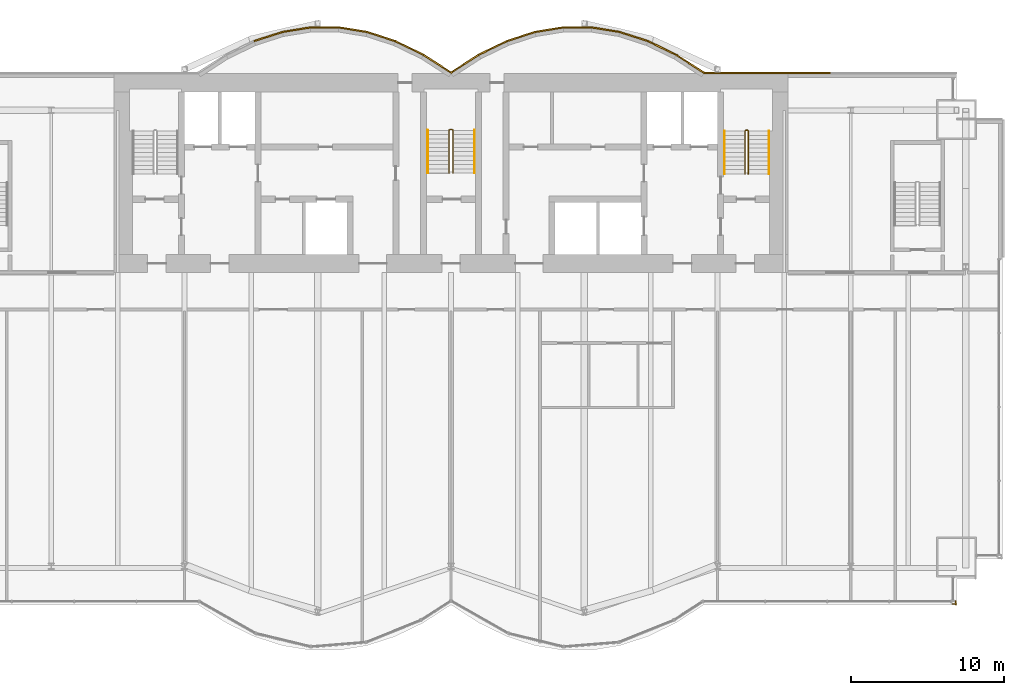
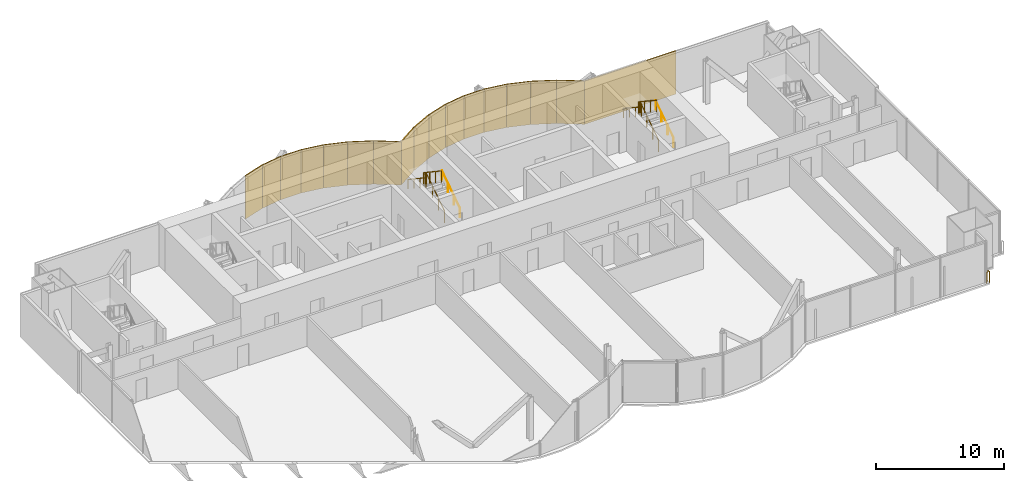
# One storey, part 20 of 21: 17 coverings, 7 railings.
"""IFC4 building model written with IfcOpenShell, lengths in metres."""

from ifc_helpers import new_model, si_unit, direction, frame, origin, origin_2d, place, context, subcontext, project, spatial, rectangle, circle, extrude, material, layer, layer_set, type_object, element, save


model = new_model("IFC4")

# Units and contexts
model_context = context("Model", 3, precision=1e-05, world=origin(), true_north=direction((0.0, 1.0)))
body_context = subcontext(model_context, "Body", "Model", "MODEL_VIEW")
ifc_project = project(units=[si_unit("LENGTHUNIT", "METRE"), si_unit("AREAUNIT", "SQUARE_METRE"), si_unit("VOLUMEUNIT", "CUBIC_METRE"), si_unit("PLANEANGLEUNIT", "RADIAN"), si_unit("MASSUNIT", "GRAM", prefix="KILO")], contexts=[model_context])

# Site, building, storey
site_placement = place(None, origin())
site = spatial("IfcSite", under=ifc_project, at=site_placement, CompositionType="ELEMENT")
building_placement = place(site_placement, origin())
building = spatial("IfcBuilding", under=site, at=building_placement, Name="Bicima Exchange Tower", CompositionType="ELEMENT")
storey_placement = place(building_placement, frame((0.0, 0.0, 165.0)))
storey = spatial("IfcBuildingStorey", under=building, at=storey_placement, Name="L36", CompositionType="ELEMENT", Elevation=165.0)

# Coverings
ifc_material_1 = material(Name="Bronze metal cladding")
ifc_layer_1 = layer(ifc_material_1, 0.004)
ifc_material_2 = material(Name="Ventilated cavity")
ifc_layer_2 = layer(ifc_material_2, 0.06)
ifc_material_3 = material(Name="Galvanised steel rail and mineral wool", Category="steel")
ifc_layer_3 = layer(ifc_material_3, 0.036)
ifc_layer_set = layer_set([ifc_layer_1, ifc_layer_2, ifc_layer_3], Name="Ventilated cavity")
covering_type = type_object("IfcCoveringType", Name="Bronze metal cladding panel 100", PredefinedType="CLADDING", material=ifc_layer_set)
covering_1_placement = place(storey_placement, frame((20.625, 0.050048828125, -0.150146484375), z_axis=(0.0, 0.0, 1.0), x_axis=(-1.0, 0.0, 0.0)))
element("IfcCovering", 1, at=covering_1_placement, inside=storey, type_object=covering_type, Name="Bronze cladding L36 1.2", PredefinedType="CLADDING", context=body_context, shape_type="SweptSolid", body=[
    extrude(rectangle(XDim=8.25, YDim=0.10009765625, at=origin_2d()), origin(), (0.0, 0.0, 1.0), 4.10009765625),
])
covering_2_placement = place(storey_placement, frame((15.610595703125, 0.634521484375, -0.150146484375), z_axis=(0.0, 0.0, 1.0), x_axis=(-0.839790466384, 0.542910648791, 0.0)))
element("IfcCovering", 2, at=covering_2_placement, inside=storey, type_object=covering_type, Name="Bronze cladding L36 2.1", PredefinedType="CLADDING", context=body_context, shape_type="SweptSolid", body=[
    extrude(rectangle(XDim=2.18310546875, YDim=0.10009765625, at=origin_2d()), origin(), (0.0, 0.0, 1.0), 4.10009765625),
])
covering_3_placement = place(storey_placement, frame((13.771728515625, 1.674560546875, -0.150146484375), z_axis=(0.0, 0.0, 1.0), x_axis=(-0.899818346812, 0.436264762204, 0.0)))
element("IfcCovering", 3, at=covering_3_placement, inside=storey, type_object=covering_type, Name="Bronze cladding L36 3.1", PredefinedType="CLADDING", context=body_context, shape_type="SweptSolid", body=[
    extrude(rectangle(XDim=2.03759765625, YDim=0.10009765625, at=origin_2d()), origin(), (0.0, 0.0, 1.0), 4.10009765625),
])
covering_4_placement = place(storey_placement, frame((11.931884765625, 2.41796875, -0.150146484375), z_axis=(0.0, 0.0, 1.0), x_axis=(-0.951524642381, 0.307572519808, 0.0)))
element("IfcCovering", 4, at=covering_4_placement, inside=storey, type_object=covering_type, Name="Bronze cladding L36 4.1", PredefinedType="CLADDING", context=body_context, shape_type="SweptSolid", body=[
    extrude(rectangle(XDim=1.9267578125, YDim=0.10009765625, at=origin_2d()), origin(), (0.0, 0.0, 1.0), 4.10009765625),
])
covering_5_placement = place(storey_placement, frame((10.09130859375, 2.8642578125, -0.150146484375), z_axis=(0.0, 0.0, 1.0), x_axis=(-0.987189786347, 0.159550386184, 0.0)))
element("IfcCovering", 5, at=covering_5_placement, inside=storey, type_object=covering_type, Name="Bronze cladding L36 5.1", PredefinedType="CLADDING", context=body_context, shape_type="SweptSolid", body=[
    extrude(rectangle(XDim=1.857177734375, YDim=0.10009765625, at=origin_2d()), origin(), (0.0, 0.0, 1.0), 4.10009765625),
])
covering_6_placement = place(storey_placement, frame((8.25, 3.012939453125, -0.150146484375), z_axis=(0.0, 0.0, 1.0), x_axis=(-1.0, 0.0, 0.0)))
element("IfcCovering", 6, at=covering_6_placement, inside=storey, type_object=covering_type, Name="Bronze cladding L36 6.1", PredefinedType="CLADDING", context=body_context, shape_type="SweptSolid", body=[
    extrude(rectangle(XDim=1.83349609375, YDim=0.10009765625, at=origin_2d()), origin(), (0.0, 0.0, 1.0), 4.10009765625),
])
covering_7_placement = place(storey_placement, frame((6.40869140625, 2.8642578125, -0.150146484375), z_axis=(0.0, 0.0, 1.0), x_axis=(-0.987189786347, -0.159550386184, 0.0)))
element("IfcCovering", 7, at=covering_7_placement, inside=storey, type_object=covering_type, Name="Bronze cladding L36 7.1", PredefinedType="CLADDING", context=body_context, shape_type="SweptSolid", body=[
    extrude(rectangle(XDim=1.857177734375, YDim=0.10009765625, at=origin_2d()), origin(), (0.0, 0.0, 1.0), 4.10009765625),
])
covering_8_placement = place(storey_placement, frame((4.568115234375, 2.41796875, -0.150146484375), z_axis=(0.0, 0.0, 1.0), x_axis=(-0.951524642381, -0.307572519808, 0.0)))
element("IfcCovering", 8, at=covering_8_placement, inside=storey, type_object=covering_type, Name="Bronze cladding L36 8.1", PredefinedType="CLADDING", context=body_context, shape_type="SweptSolid", body=[
    extrude(rectangle(XDim=1.9267578125, YDim=0.10009765625, at=origin_2d()), origin(), (0.0, 0.0, 1.0), 4.10009765625),
])
covering_9_placement = place(storey_placement, frame((2.728271484375, 1.674560546875, -0.150146484375), z_axis=(0.0, 0.0, 1.0), x_axis=(-0.899818346812, -0.436264762204, 0.0)))
element("IfcCovering", 9, at=covering_9_placement, inside=storey, type_object=covering_type, Name="Bronze cladding L36 9.1", PredefinedType="CLADDING", context=body_context, shape_type="SweptSolid", body=[
    extrude(rectangle(XDim=2.03759765625, YDim=0.10009765625, at=origin_2d()), origin(), (0.0, 0.0, 1.0), 4.10009765625),
])
for number, where, z_axis, x_axis, name in (
    (10, (0.889404296875, 0.634521484375, -0.150146484375), (0.0, 0.0, 1.0), (-0.839790466384, -0.542910648791, 0.0), "Bronze cladding L36 10.1"),
    (11, (-0.889404296875, 0.634521484375, -0.150146484375), (0.0, 0.0, 1.0), (-0.839790466384, 0.542910648791, 0.0), "Bronze cladding L36 11.1"),
):
    element("IfcCovering", number, at=place(storey_placement, frame(where, z_axis=z_axis, x_axis=x_axis)), inside=storey, type_object=covering_type, Name=name, PredefinedType="CLADDING", context=body_context, shape_type="SweptSolid", body=[
        extrude(rectangle(XDim=2.18310546875, YDim=0.10009765625, at=origin_2d()), origin(), (0.0, 0.0, 1.0), 4.10009765625),
    ])
covering_10_placement = place(storey_placement, frame((-2.728271484375, 1.674560546875, -0.150146484375), z_axis=(0.0, 0.0, 1.0), x_axis=(-0.899818346812, 0.436264762204, 0.0)))
element("IfcCovering", 12, at=covering_10_placement, inside=storey, type_object=covering_type, Name="Bronze cladding L36 12.1", PredefinedType="CLADDING", context=body_context, shape_type="SweptSolid", body=[
    extrude(rectangle(XDim=2.03759765625, YDim=0.10009765625, at=origin_2d()), origin(), (0.0, 0.0, 1.0), 4.10009765625),
])
covering_11_placement = place(storey_placement, frame((-4.568115234375, 2.41796875, -0.150146484375), z_axis=(0.0, 0.0, 1.0), x_axis=(-0.951524642381, 0.307572519808, 0.0)))
element("IfcCovering", 13, at=covering_11_placement, inside=storey, type_object=covering_type, Name="Bronze cladding L36 13.1", PredefinedType="CLADDING", context=body_context, shape_type="SweptSolid", body=[
    extrude(rectangle(XDim=1.9267578125, YDim=0.10009765625, at=origin_2d()), origin(), (0.0, 0.0, 1.0), 4.10009765625),
])
covering_12_placement = place(storey_placement, frame((-6.40869140625, 2.8642578125, -0.150146484375), z_axis=(0.0, 0.0, 1.0), x_axis=(-0.987189786347, 0.159550386184, 0.0)))
element("IfcCovering", 14, at=covering_12_placement, inside=storey, type_object=covering_type, Name="Bronze cladding L36 14.1", PredefinedType="CLADDING", context=body_context, shape_type="SweptSolid", body=[
    extrude(rectangle(XDim=1.857177734375, YDim=0.10009765625, at=origin_2d()), origin(), (0.0, 0.0, 1.0), 4.10009765625),
])
covering_13_placement = place(storey_placement, frame((-8.25, 3.012939453125, -0.150146484375), z_axis=(0.0, 0.0, 1.0), x_axis=(-1.0, 0.0, 0.0)))
element("IfcCovering", 15, at=covering_13_placement, inside=storey, type_object=covering_type, Name="Bronze cladding L36 15.1", PredefinedType="CLADDING", context=body_context, shape_type="SweptSolid", body=[
    extrude(rectangle(XDim=1.83349609375, YDim=0.10009765625, at=origin_2d()), origin(), (0.0, 0.0, 1.0), 4.10009765625),
])
covering_14_placement = place(storey_placement, frame((-10.09130859375, 2.8642578125, -0.150146484375), z_axis=(0.0, 0.0, 1.0), x_axis=(-0.987189786347, -0.159550386184, 0.0)))
element("IfcCovering", 16, at=covering_14_placement, inside=storey, type_object=covering_type, Name="Bronze cladding L36 16.1", PredefinedType="CLADDING", context=body_context, shape_type="SweptSolid", body=[
    extrude(rectangle(XDim=1.857177734375, YDim=0.10009765625, at=origin_2d()), origin(), (0.0, 0.0, 1.0), 4.10009765625),
])
covering_15_placement = place(storey_placement, frame((-11.931884765625, 2.41796875, -0.150146484375), z_axis=(0.0, 0.0, 1.0), x_axis=(-0.951524642381, -0.307572519808, 0.0)))
element("IfcCovering", 17, at=covering_15_placement, inside=storey, type_object=covering_type, Name="Bronze cladding L36 17.1", PredefinedType="CLADDING", context=body_context, shape_type="SweptSolid", body=[
    extrude(rectangle(XDim=1.9267578125, YDim=0.10009765625, at=origin_2d()), origin(), (0.0, 0.0, 1.0), 4.10009765625),
])

# Railings
ifc_material_4 = material(Name="Stainless steel and bonded safety glass", Category="steel")
railing_type_1 = type_object("IfcRailingType", Name="Edge guard 1100", PredefinedType="GUARDRAIL", material=ifc_material_4)
railing_1_placement = place(storey_placement, frame((32.949951171875, -34.43701171875, 0.0)))
element("IfcRailing", 18, at=railing_1_placement, inside=storey, type_object=railing_type_1, Name="Edge guard L36 182", PredefinedType="GUARDRAIL", context=body_context, shape_type="SweptSolid", body=[
    extrude(circle(Radius=0.02392578125, at=origin_2d()), frame((0.0, 0.0, 1.076171875), z_axis=(0.0, -1.0, 0.0), x_axis=(1.0, 0.0, 0.0)), (0.0, 0.0, 1.0), 0.242919921875),
    extrude(circle(Radius=0.02392578125, at=origin_2d()), frame((0.0, -0.242919921875, 1.076171875), z_axis=(0.707106781187, 0.707106781187, 0.0), x_axis=(-0.707106781187, 0.707106781187, 0.0)), (0.0, 0.0, 1.0), 0.07080078125),
    extrude(circle(Radius=0.02392578125, at=origin_2d()), frame((0.050048828125, -0.19287109375, 1.076171875), z_axis=(-1.0, 0.0, 0.0), x_axis=(0.0, -1.0, 0.0)), (0.0, 0.0, 1.0), 0.25),
    extrude(circle(Radius=0.02099609375, at=origin_2d()), origin(), (0.0, 0.0, 1.0), 1.052001953125),
    extrude(circle(Radius=0.02099609375, at=origin_2d()), frame((0.0, -0.242919921875, 0.0)), (0.0, 0.0, 1.0), 1.052001953125),
    extrude(circle(Radius=0.02099609375, at=origin_2d()), frame((0.050048828125, -0.19287109375, 0.0)), (0.0, 0.0, 1.0), 1.052001953125),
    extrude(circle(Radius=0.02099609375, at=origin_2d()), frame((-0.199951171875, -0.19287109375, 0.0)), (0.0, 0.0, 1.0), 1.052001953125),
])
ifc_material_5 = material(Name="Stainless steel", Category="steel")
railing_type_2 = type_object("IfcRailingType", Name="Stair guard 1100", PredefinedType="GUARDRAIL", material=ifc_material_5)
railing_2_placement = place(storey_placement, frame((0.125, -6.5, 0.186279296875)))
element("IfcRailing", 19, at=railing_2_placement, inside=storey, type_object=railing_type_2, Name="L36 ST-C stair guard 1", PredefinedType="GUARDRAIL", context=body_context, shape_type="SweptSolid", body=[
    extrude(circle(Radius=0.02392578125, at=origin_2d()), frame((0.0, 0.0, 1.076171875), z_axis=(0.0, 0.832452072856, 0.554097055034), x_axis=(-1.0, 0.0, 0.0)), (0.0, 0.0, 1.0), 3.363525390625),
    extrude(circle(Radius=0.02392578125, at=origin_2d()), frame((0.0, 2.800048828125, 2.93994140625), z_axis=(-0.707106781187, 0.707106781187, 0.0), x_axis=(-0.707106781187, -0.707106781187, 0.0)), (0.0, 0.0, 1.0), 0.07080078125),
    extrude(circle(Radius=0.02392578125, at=origin_2d()), frame((-0.050048828125, 2.85009765625, 2.93994140625), z_axis=(-1.0, 0.0, 0.0), x_axis=(0.0, -1.0, 0.0)), (0.0, 0.0, 1.0), 0.14990234375),
    extrude(circle(Radius=0.02392578125, at=origin_2d()), frame((-0.199951171875, 2.85009765625, 2.93994140625), z_axis=(-0.251157038772, -0.251157038772, 0.934794246747), x_axis=(0.707106781187, -0.707106781187, 0.0)), (0.0, 0.0, 1.0), 0.19921875),
    extrude(circle(Radius=0.02392578125, at=origin_2d()), frame((-0.25, 2.800048828125, 3.1259765625), z_axis=(0.0, -0.832452072856, 0.554097055034), x_axis=(1.0, 0.0, 0.0)), (0.0, 0.0, 1.0), 3.363525390625),
    extrude(circle(Radius=0.02099609375, at=origin_2d()), origin(), (0.0, 0.0, 1.0), 1.052001953125),
    extrude(circle(Radius=0.02099609375, at=origin_2d()), frame((0.0, 0.933349609375, 0.621337890625)), (0.0, 0.0, 1.0), 1.052001953125),
    extrude(circle(Radius=0.02099609375, at=origin_2d()), frame((0.0, 1.86669921875, 1.242431640625)), (0.0, 0.0, 1.0), 1.052001953125),
    extrude(circle(Radius=0.02099609375, at=origin_2d()), frame((0.0, 2.800048828125, 1.86376953125)), (0.0, 0.0, 1.0), 1.052001953125),
    extrude(circle(Radius=0.02099609375, at=origin_2d()), frame((-0.050048828125, 2.85009765625, 1.86376953125)), (0.0, 0.0, 1.0), 1.052001953125),
    extrude(circle(Radius=0.02099609375, at=origin_2d()), frame((-0.199951171875, 2.85009765625, 1.86376953125)), (0.0, 0.0, 1.0), 1.052001953125),
    extrude(circle(Radius=0.02099609375, at=origin_2d()), frame((-0.25, 2.800048828125, 2.050048828125)), (0.0, 0.0, 1.0), 1.052001953125),
    extrude(circle(Radius=0.02099609375, at=origin_2d()), frame((-0.25, 1.86669921875, 2.67138671875)), (0.0, 0.0, 1.0), 1.052001953125),
    extrude(circle(Radius=0.02099609375, at=origin_2d()), frame((-0.25, 0.933349609375, 3.29248046875)), (0.0, 0.0, 1.0), 1.052001953125),
    extrude(circle(Radius=0.02099609375, at=origin_2d()), frame((-0.25, 0.0, 3.913818359375)), (0.0, 0.0, 1.0), 1.052001953125),
])
railing_3_placement = place(storey_placement, frame((19.39990234375, -6.550048828125, 0.186279296875)))
element("IfcRailing", 20, at=railing_3_placement, inside=storey, type_object=railing_type_2, Name="L36 ST-E stair guard 1", PredefinedType="GUARDRAIL", context=body_context, shape_type="SweptSolid", body=[
    extrude(circle(Radius=0.02392578125, at=origin_2d()), frame((0.0, 0.0, 1.076171875), z_axis=(0.0, 0.832452072856, 0.554097055034), x_axis=(-1.0, 0.0, 0.0)), (0.0, 0.0, 1.0), 3.363525390625),
    extrude(circle(Radius=0.02392578125, at=origin_2d()), frame((0.0, 2.800048828125, 2.93994140625), z_axis=(-0.705375805398, 0.708833529934, 0.0), x_axis=(-0.708833529934, -0.705375805398, 0.0)), (0.0, 0.0, 1.0), 0.070556640625),
    extrude(circle(Radius=0.02392578125, at=origin_2d()), frame((-0.0498046875, 2.85009765625, 2.93994140625), z_axis=(-1.0, 0.0, 0.0), x_axis=(0.0, -1.0, 0.0)), (0.0, 0.0, 1.0), 0.10009765625),
    extrude(circle(Radius=0.02392578125, at=origin_2d()), frame((-0.14990234375, 2.85009765625, 2.93994140625), z_axis=(-0.251157038772, -0.251157038772, 0.934794246747), x_axis=(0.707106781187, -0.707106781187, 0.0)), (0.0, 0.0, 1.0), 0.19921875),
    extrude(circle(Radius=0.02392578125, at=origin_2d()), frame((-0.199951171875, 2.800048828125, 3.1259765625), z_axis=(0.0, -0.832452072856, 0.554097055034), x_axis=(1.0, 0.0, 0.0)), (0.0, 0.0, 1.0), 3.363525390625),
    extrude(circle(Radius=0.02099609375, at=origin_2d()), origin(), (0.0, 0.0, 1.0), 1.052001953125),
    extrude(circle(Radius=0.02099609375, at=origin_2d()), frame((0.0, 0.933349609375, 0.621337890625)), (0.0, 0.0, 1.0), 1.052001953125),
    extrude(circle(Radius=0.02099609375, at=origin_2d()), frame((0.0, 1.86669921875, 1.242431640625)), (0.0, 0.0, 1.0), 1.052001953125),
    extrude(circle(Radius=0.02099609375, at=origin_2d()), frame((0.0, 2.800048828125, 1.86376953125)), (0.0, 0.0, 1.0), 1.052001953125),
    extrude(circle(Radius=0.02099609375, at=origin_2d()), frame((-0.0498046875, 2.85009765625, 1.86376953125)), (0.0, 0.0, 1.0), 1.052001953125),
    extrude(circle(Radius=0.02099609375, at=origin_2d()), frame((-0.14990234375, 2.85009765625, 1.86376953125)), (0.0, 0.0, 1.0), 1.052001953125),
    extrude(circle(Radius=0.02099609375, at=origin_2d()), frame((-0.199951171875, 2.800048828125, 2.050048828125)), (0.0, 0.0, 1.0), 1.052001953125),
    extrude(circle(Radius=0.02099609375, at=origin_2d()), frame((-0.199951171875, 1.86669921875, 2.67138671875)), (0.0, 0.0, 1.0), 1.052001953125),
    extrude(circle(Radius=0.02099609375, at=origin_2d()), frame((-0.199951171875, 0.933349609375, 3.29248046875)), (0.0, 0.0, 1.0), 1.052001953125),
    extrude(circle(Radius=0.02099609375, at=origin_2d()), frame((-0.199951171875, 0.0, 3.913818359375)), (0.0, 0.0, 1.0), 1.052001953125),
])
railing_type_3 = type_object("IfcRailingType", Name="Stair handrail 900", PredefinedType="HANDRAIL", material=ifc_material_5)
railing_4_placement = place(storey_placement, frame((1.52490234375, -6.5, 0.186279296875)))
element("IfcRailing", 21, at=railing_4_placement, inside=storey, type_object=railing_type_3, Name="L36 ST-C stair handrail 1", PredefinedType="HANDRAIL", context=body_context, shape_type="SweptSolid", body=[
    extrude(circle(Radius=0.02392578125, at=origin_2d()), frame((0.0, 0.0, 0.8759765625), z_axis=(0.0, 0.832452072856, 0.554097055034), x_axis=(-1.0, 0.0, 0.0)), (0.0, 0.0, 1.0), 3.363525390625),
    extrude(circle(Radius=0.02099609375, at=origin_2d()), origin(), (0.0, 0.0, 1.0), 0.851806640625),
    extrude(circle(Radius=0.02099609375, at=origin_2d()), frame((0.0, 0.933349609375, 0.621337890625)), (0.0, 0.0, 1.0), 0.851806640625),
    extrude(circle(Radius=0.02099609375, at=origin_2d()), frame((0.0, 1.86669921875, 1.242431640625)), (0.0, 0.0, 1.0), 0.851806640625),
    extrude(circle(Radius=0.02099609375, at=origin_2d()), frame((0.0, 2.800048828125, 1.86376953125)), (0.0, 0.0, 1.0), 0.851806640625),
])
railing_5_placement = place(storey_placement, frame((-1.52490234375, -3.699951171875, 2.27685546875)))
element("IfcRailing", 22, at=railing_5_placement, inside=storey, type_object=railing_type_3, Name="L36 ST-C stair handrail 2", PredefinedType="HANDRAIL", context=body_context, shape_type="SweptSolid", body=[
    extrude(circle(Radius=0.02392578125, at=origin_2d()), frame((0.0, 0.0, 0.8759765625), z_axis=(0.0, -0.832485552168, 0.554046753832), x_axis=(1.0, 0.0, 0.0)), (0.0, 0.0, 1.0), 3.363525390625),
    extrude(circle(Radius=0.02099609375, at=origin_2d()), origin(), (0.0, 0.0, 1.0), 0.851806640625),
    extrude(circle(Radius=0.02099609375, at=origin_2d()), frame((0.0, -0.933349609375, 0.62109375)), (0.0, 0.0, 1.0), 0.851806640625),
    extrude(circle(Radius=0.02099609375, at=origin_2d()), frame((0.0, -1.86669921875, 1.242431640625)), (0.0, 0.0, 1.0), 0.851806640625),
    extrude(circle(Radius=0.02099609375, at=origin_2d()), frame((0.0, -2.800048828125, 1.863525390625)), (0.0, 0.0, 1.0), 0.851806640625),
])
railing_6_placement = place(storey_placement, frame((20.75, -6.550048828125, 0.186279296875)))
element("IfcRailing", 23, at=railing_6_placement, inside=storey, type_object=railing_type_3, Name="L36 ST-E stair handrail 1", PredefinedType="HANDRAIL", context=body_context, shape_type="SweptSolid", body=[
    extrude(circle(Radius=0.02392578125, at=origin_2d()), frame((0.0, 0.0, 0.8759765625), z_axis=(0.0, 0.832452072856, 0.554097055034), x_axis=(-1.0, 0.0, 0.0)), (0.0, 0.0, 1.0), 3.363525390625),
    extrude(circle(Radius=0.02099609375, at=origin_2d()), origin(), (0.0, 0.0, 1.0), 0.851806640625),
    extrude(circle(Radius=0.02099609375, at=origin_2d()), frame((0.0, 0.933349609375, 0.621337890625)), (0.0, 0.0, 1.0), 0.851806640625),
    extrude(circle(Radius=0.02099609375, at=origin_2d()), frame((0.0, 1.86669921875, 1.242431640625)), (0.0, 0.0, 1.0), 0.851806640625),
    extrude(circle(Radius=0.02099609375, at=origin_2d()), frame((0.0, 2.800048828125, 1.86376953125)), (0.0, 0.0, 1.0), 0.851806640625),
])
railing_7_placement = place(storey_placement, frame((17.85009765625, -3.75, 2.27685546875)))
element("IfcRailing", 24, at=railing_7_placement, inside=storey, type_object=railing_type_3, Name="L36 ST-E stair handrail 2", PredefinedType="HANDRAIL", context=body_context, shape_type="SweptSolid", body=[
    extrude(circle(Radius=0.02392578125, at=origin_2d()), frame((0.0, 0.0, 0.8759765625), z_axis=(0.0, -0.832485552168, 0.554046753832), x_axis=(1.0, 0.0, 0.0)), (0.0, 0.0, 1.0), 3.363525390625),
    extrude(circle(Radius=0.02099609375, at=origin_2d()), origin(), (0.0, 0.0, 1.0), 0.851806640625),
    extrude(circle(Radius=0.02099609375, at=origin_2d()), frame((0.0, -0.933349609375, 0.62109375)), (0.0, 0.0, 1.0), 0.851806640625),
    extrude(circle(Radius=0.02099609375, at=origin_2d()), frame((0.0, -1.86669921875, 1.242431640625)), (0.0, 0.0, 1.0), 0.851806640625),
    extrude(circle(Radius=0.02099609375, at=origin_2d()), frame((0.0, -2.800048828125, 1.863525390625)), (0.0, 0.0, 1.0), 0.851806640625),
])

save(model, "model.ifc")
